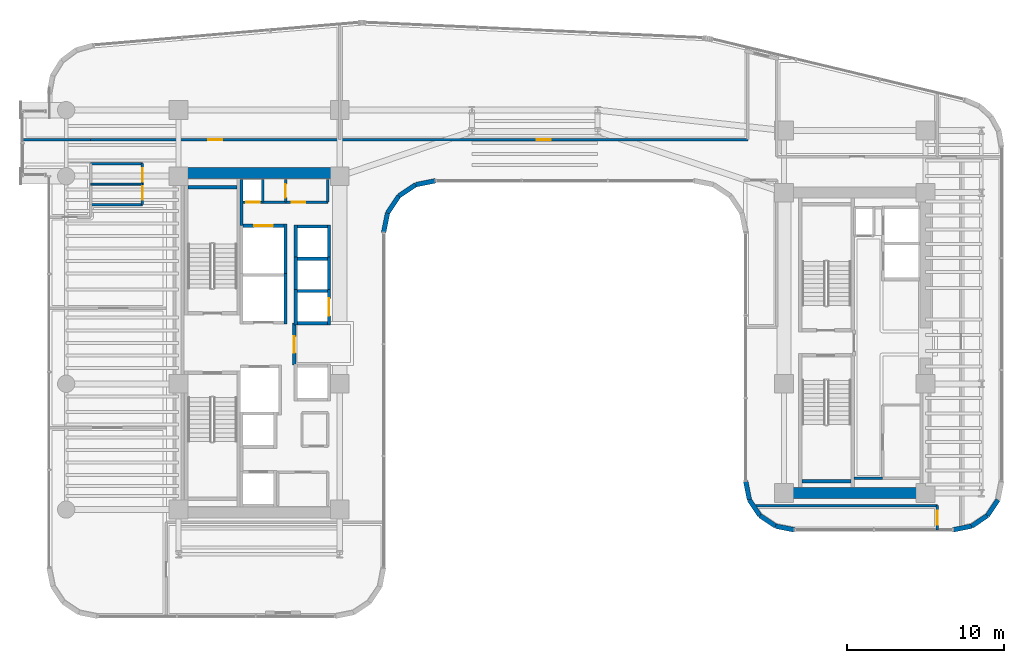
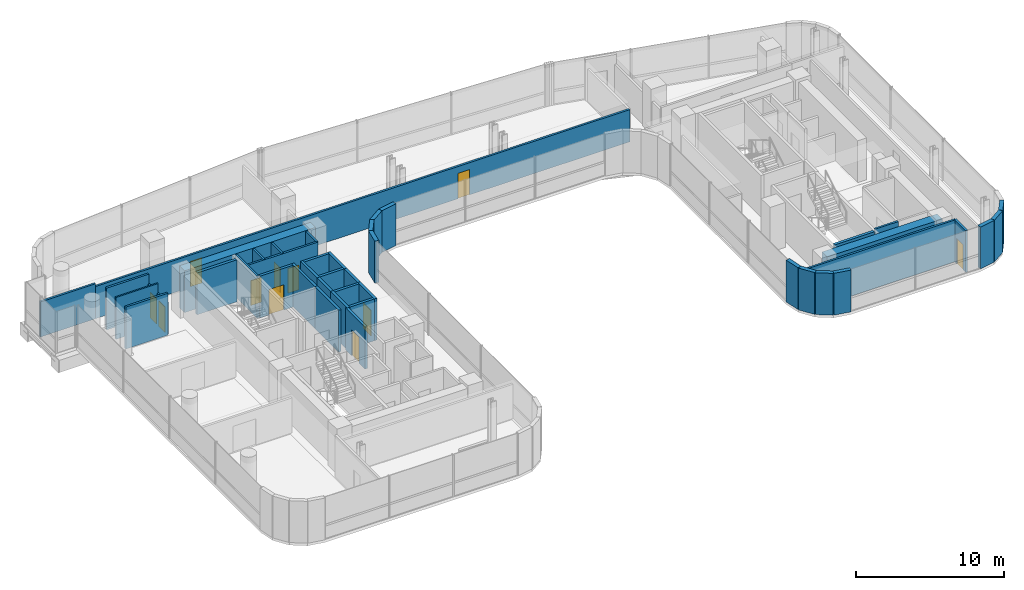
# One storey, part 28 of 34: 43 walls, 11 doors, 11 openings.
"""IFC4 building model written with IfcOpenShell, lengths in metres."""

from ifc_helpers import new_model, si_unit, direction, frame, frame_2d, origin, place, context, subcontext, project, spatial, rectangle, extrude, material, layer, layer_set, type_object, element, fill, save


model = new_model("IFC4")

# Units and contexts
model_context = context("Model", 3, precision=1e-05, world=origin(), true_north=direction((0.0, 1.0)))
body_context = subcontext(model_context, "Body", "Model", "MODEL_VIEW")
ifc_project = project(units=[si_unit("LENGTHUNIT", "METRE"), si_unit("AREAUNIT", "SQUARE_METRE"), si_unit("VOLUMEUNIT", "CUBIC_METRE"), si_unit("PLANEANGLEUNIT", "RADIAN"), si_unit("MASSUNIT", "GRAM", prefix="KILO")], contexts=[model_context])

# Site, building, storey
site_placement = place(None, origin())
site = spatial("IfcSite", under=ifc_project, at=site_placement, CompositionType="ELEMENT")
building_placement = place(site_placement, origin())
building = spatial("IfcBuilding", under=site, at=building_placement, Name="Valdorenza Pilgrim Sanctuary Tower", CompositionType="ELEMENT")
storey_placement = place(building_placement, frame((0.0, 0.0, 120.5)))
storey = spatial("IfcBuildingStorey", under=building, at=storey_placement, Name="L30", CompositionType="ELEMENT", Elevation=120.5)

# Wall
ifc_material_1 = material(Name="Acoustic twin-stud gypsum partition", Category="gypsum")
ifc_layer_1 = layer(ifc_material_1, 0.159912109375, Name="Acoustic twin-stud gypsum partition")
ifc_layer_set_1 = layer_set([ifc_layer_1], Name="Acoustic twin-stud gypsum partition")
wall_type_1 = type_object("IfcWallType", Name="WAL-COR-160", PredefinedType="PARTITIONING", material=ifc_layer_set_1)
wall_1_placement = place(storey_placement, frame((-18.64990234375, 7.449951171875, 0.0), z_axis=(0.0, 0.0, 1.0), x_axis=(0.0, 1.0, 0.0)))
element("IfcWall", 1, at=wall_1_placement, inside=storey, type_object=wall_type_1, Name="L30 Core A North Service West Wall", PredefinedType="PARTITIONING", context=body_context, shape_type="SweptSolid", body=[
    extrude(rectangle(XDim=2.929931640625, YDim=0.159912109375, at=frame_2d((1.46484375, 0.0))), origin(), (0.0, 0.0, 1.0), 3.4599609375),
])

# Wall, openings, doors
wall_2_placement = place(storey_placement, frame((-18.64990234375, 8.949951171875, 0.0), z_axis=(0.0, 0.0, 1.0), x_axis=(1.0, 0.0, 0.0)))
wall_2 = element("IfcWall", 2, at=wall_2_placement, inside=storey, type_object=wall_type_1, Name="L30 Core A North Service South Wall", PredefinedType="PARTITIONING", context=body_context, shape_type="SweptSolid", body=[
    extrude(rectangle(XDim=5.5, YDim=0.159912109375, at=frame_2d((2.75, 0.0))), origin(), (0.0, 0.0, 1.0), 3.4599609375),
])
opening_1_placement = place(wall_2_placement, frame((0.300048828125, 0.0, 0.0)))
opening_1 = element("IfcOpeningElement", 3, at=opening_1_placement, cuts=wall_2, Name="Opening DR-RS1", PredefinedType="OPENING", context=body_context, shape_type="SweptSolid", body=[
    extrude(rectangle(XDim=0.85009765625, YDim=2.050048828125, at=frame_2d((0.425048828125, 1.02490234375))), frame((0.0, 0.0947265625, 0.0), z_axis=(0.0, -1.0, 0.0), x_axis=(1.0, 0.0, 0.0)), (0.0, 0.0, 1.0), 0.189697265625),
])
opening_2_placement = place(wall_2_placement, frame((3.199951171875, 0.0, 0.0)))
opening_2 = element("IfcOpeningElement", 4, at=opening_2_placement, cuts=wall_2, Name="Opening DR-RS1", PredefinedType="OPENING", context=body_context, shape_type="SweptSolid", body=[
    extrude(rectangle(XDim=0.85009765625, YDim=2.050048828125, at=frame_2d((0.425048828125, 1.02490234375))), frame((0.0, 0.0947265625, 0.0), z_axis=(0.0, -1.0, 0.0), x_axis=(1.0, 0.0, 0.0)), (0.0, 0.0, 1.0), 0.189697265625),
])
ifc_material_2 = material(Name="Painted galvanized steel", Category="steel")
door_type_1 = type_object("IfcDoorType", Name="DR-RSR-850", OperationType="NOTDEFINED", PredefinedType="DOOR", material=ifc_material_2)
door_1_placement = place(opening_1_placement, origin())
door_1 = element("IfcDoor", 5, at=door_1_placement, inside=storey, type_object=door_type_1, Name="L30 Core Electrical and Telecom Riser Door", OperationType="SINGLE_SWING_LEFT", OverallHeight=2.050048828125, OverallWidth=0.85009765625, PredefinedType="DOOR", context=body_context, shape_type="SweptSolid", body=[
    extrude(rectangle(XDim=0.85009765625, YDim=2.050048828125, at=frame_2d((0.425048828125, 1.02490234375))), frame((0.0, 0.02490234375, 0.0), z_axis=(0.0, -1.0, 0.0), x_axis=(1.0, 0.0, 0.0)), (0.0, 0.0, 1.0), 0.050048828125),
])
fill(opening_1, door_1)
door_2_placement = place(opening_2_placement, origin())
door_2 = element("IfcDoor", 6, at=door_2_placement, inside=storey, type_object=door_type_1, Name="L30 Housekeeping and Clean Linen Room Door", OperationType="SINGLE_SWING_RIGHT", OverallHeight=2.050048828125, OverallWidth=0.85009765625, PredefinedType="DOOR", context=body_context, shape_type="SweptSolid", body=[
    extrude(rectangle(XDim=0.85009765625, YDim=2.050048828125, at=frame_2d((0.425048828125, 1.02490234375))), frame((0.0, 0.02490234375, 0.0), z_axis=(0.0, -1.0, 0.0), x_axis=(1.0, 0.0, 0.0)), (0.0, 0.0, 1.0), 0.050048828125),
])
fill(opening_2, door_2)

# Walls
for number, where, z_axis, x_axis, name in (
    (7, (-13.14990234375, 8.949951171875, 0.0), (0.0, 0.0, 1.0), (0.0, 1.0, 0.0), "L30 Core A North Service East Wall"),
    (8, (-17.300048828125, 8.949951171875, 0.0), (0.0, 0.0, 1.0), (0.0, 1.0, 0.0), "L30 Core Electrical Riser Wall"),
):
    element("IfcWall", number, at=place(storey_placement, frame(where, z_axis=z_axis, x_axis=x_axis)), inside=storey, type_object=wall_type_1, Name=name, PredefinedType="PARTITIONING", context=body_context, shape_type="SweptSolid", body=[
        extrude(rectangle(XDim=1.429931640625, YDim=0.159912109375, at=frame_2d((0.71484375, 0.0))), origin(), (0.0, 0.0, 1.0), 3.4599609375),
    ])

# Wall, opening, door
wall_3_placement = place(storey_placement, frame((-15.85009765625, 8.949951171875, 0.0), z_axis=(0.0, 0.0, 1.0), x_axis=(0.0, 1.0, 0.0)))
wall_3 = element("IfcWall", 9, at=wall_3_placement, inside=storey, type_object=wall_type_1, Name="L30 Core A Split C", PredefinedType="PARTITIONING", context=body_context, shape_type="SweptSolid", body=[
    extrude(rectangle(XDim=1.429931640625, YDim=0.159912109375, at=frame_2d((0.71484375, 0.0))), origin(), (0.0, 0.0, 1.0), 3.4599609375),
])
opening_3_placement = place(wall_3_placement, frame((0.2900390625, 0.0, 0.0)))
opening_3 = element("IfcOpeningElement", 10, at=opening_3_placement, cuts=wall_3, Name="Opening DR-RS1", PredefinedType="OPENING", context=body_context, shape_type="SweptSolid", body=[
    extrude(rectangle(XDim=0.85009765625, YDim=2.050048828125, at=frame_2d((0.425048828125, 1.02490234375))), frame((0.0, 0.0947265625, 0.0), z_axis=(0.0, -1.0, 0.0), x_axis=(1.0, 0.0, 0.0)), (0.0, 0.0, 1.0), 0.189697265625),
])
door_3_placement = place(opening_3_placement, origin())
door_3 = element("IfcDoor", 11, at=door_3_placement, inside=storey, type_object=door_type_1, Name="L30 Clean Linen Supply Store Door", OperationType="SINGLE_SWING_LEFT", OverallHeight=2.050048828125, OverallWidth=0.85009765625, PredefinedType="DOOR", context=body_context, shape_type="SweptSolid", body=[
    extrude(rectangle(XDim=0.85009765625, YDim=2.050048828125, at=frame_2d((0.425048828125, 1.02490234375))), frame((0.0, 0.02490234375, 0.0), z_axis=(0.0, -1.0, 0.0), x_axis=(1.0, 0.0, 0.0)), (0.0, 0.0, 1.0), 0.050048828125),
])
fill(opening_3, door_3)

# Wall
wall_4_placement = place(storey_placement, frame((20.300048828125, -8.60009765625, 0.0), z_axis=(0.0, 0.0, 1.0), x_axis=(1.0, 0.0, 0.0)))
element("IfcWall", 12, at=wall_4_placement, inside=storey, type_object=wall_type_1, Name="L30 Core B Lift Hall South End Wall", PredefinedType="PARTITIONING", context=body_context, shape_type="SweptSolid", body=[
    extrude(rectangle(XDim=1.820068359375, YDim=0.159912109375, at=frame_2d((0.91015625, 0.0))), origin(), (0.0, 0.0, 1.0), 3.4599609375),
])

# Wall, openings, doors
wall_5_placement = place(storey_placement, frame((-24.949951171875, 8.800048828125, 0.0), z_axis=(0.0, 0.0, 1.0), x_axis=(0.0, 1.0, 0.0)))
wall_5 = element("IfcWall", 13, at=wall_5_placement, inside=storey, type_object=wall_type_1, Name="L30 Washroom East Wall", PredefinedType="PARTITIONING", context=body_context, shape_type="SweptSolid", body=[
    extrude(rectangle(XDim=2.599853515625, YDim=0.159912109375, at=frame_2d((1.2998046875, 0.0))), origin(), (0.0, 0.0, 1.0), 2.666015625),
])
opening_4_placement = place(wall_5_placement, frame((0.300048828125, 0.0, 0.0)))
opening_4 = element("IfcOpeningElement", 14, at=opening_4_placement, cuts=wall_5, Name="Opening DR-WC1", PredefinedType="OPENING", context=body_context, shape_type="SweptSolid", body=[
    extrude(rectangle(XDim=0.85009765625, YDim=2.10009765625, at=frame_2d((0.425048828125, 1.050048828125))), frame((0.0, 0.0947265625, 0.0), z_axis=(0.0, -1.0, 0.0), x_axis=(1.0, 0.0, 0.0)), (0.0, 0.0, 1.0), 0.189697265625),
])
opening_5_placement = place(wall_5_placement, frame((1.449951171875, 0.0, 0.0)))
opening_5 = element("IfcOpeningElement", 15, at=opening_5_placement, cuts=wall_5, Name="Opening DR-WC1", PredefinedType="OPENING", context=body_context, shape_type="SweptSolid", body=[
    extrude(rectangle(XDim=0.85009765625, YDim=2.10009765625, at=frame_2d((0.425048828125, 1.050048828125))), frame((0.0, 0.0947265625, 0.0), z_axis=(0.0, -1.0, 0.0), x_axis=(1.0, 0.0, 0.0)), (0.0, 0.0, 1.0), 0.189697265625),
])
ifc_material_3 = material(Name="Moisture-resistant lacquered timber", Category="wood")
door_type_2 = type_object("IfcDoorType", Name="DR-BATH-850", OperationType="NOTDEFINED", PredefinedType="DOOR", material=ifc_material_3)
door_4_placement = place(opening_4_placement, origin())
door_4 = element("IfcDoor", 16, at=door_4_placement, inside=storey, type_object=door_type_2, Name="L30 Accessible Washroom Door", OperationType="SINGLE_SWING_LEFT", OverallHeight=2.10009765625, OverallWidth=0.85009765625, PredefinedType="DOOR", context=body_context, shape_type="SweptSolid", body=[
    extrude(rectangle(XDim=0.85009765625, YDim=2.10009765625, at=frame_2d((0.425048828125, 1.050048828125))), frame((0.0, 0.02490234375, 0.0), z_axis=(0.0, -1.0, 0.0), x_axis=(1.0, 0.0, 0.0)), (0.0, 0.0, 1.0), 0.050048828125),
])
fill(opening_4, door_4)
door_5_placement = place(opening_5_placement, origin())
door_5 = element("IfcDoor", 17, at=door_5_placement, inside=storey, type_object=door_type_2, Name="L30 Public Washroom Door", OperationType="SINGLE_SWING_RIGHT", OverallHeight=2.10009765625, OverallWidth=0.85009765625, PredefinedType="DOOR", context=body_context, shape_type="SweptSolid", body=[
    extrude(rectangle(XDim=0.85009765625, YDim=2.10009765625, at=frame_2d((0.425048828125, 1.050048828125))), frame((0.0, 0.02490234375, 0.0), z_axis=(0.0, -1.0, 0.0), x_axis=(1.0, 0.0, 0.0)), (0.0, 0.0, 1.0), 0.050048828125),
])
fill(opening_5, door_5)

# Walls
for number, where, z_axis, x_axis, name in (
    (18, (-28.25, 8.800048828125, 0.0), (0.0, 0.0, 1.0), (1.0, 0.0, 0.0), "L30 Washroom South Wall"),
    (19, (-28.25, 11.39990234375, 0.0), (0.0, 0.0, 1.0), (1.0, 0.0, 0.0), "L30 Washroom North Wall"),
):
    element("IfcWall", number, at=place(storey_placement, frame(where, z_axis=z_axis, x_axis=x_axis)), inside=storey, type_object=wall_type_1, Name=name, PredefinedType="PARTITIONING", context=body_context, shape_type="SweptSolid", body=[
        extrude(rectangle(XDim=3.300048828125, YDim=0.159912109375, at=frame_2d((1.64990234375, 0.0))), origin(), (0.0, 0.0, 1.0), 3.4599609375),
    ])
wall_6_placement = place(storey_placement, frame((-32.5400390625, 12.919921875, 0.0), z_axis=(0.0, 0.0, 1.0), x_axis=(1.0, 0.0, 0.0)))
element("IfcWall", 20, at=wall_6_placement, inside=storey, type_object=wall_type_1, Name="L30 Cloister North Solid Partition", PredefinedType="PARTITIONING", context=body_context, shape_type="SweptSolid", body=[
    extrude(rectangle(XDim=4.2900390625, YDim=0.159912109375, at=frame_2d((2.14501953125, 0.0))), origin(), (0.0, 0.0, 1.0), 2.89599609375),
])

# Wall, openings, doors
wall_7_placement = place(storey_placement, frame((-28.25, 12.919921875, 0.0), z_axis=(0.0, 0.0, 1.0), x_axis=(1.0, 0.0, 0.0)))
wall_7 = element("IfcWall", 21, at=wall_7_placement, inside=storey, type_object=wall_type_1, Name="L30 North Corridor Wall", PredefinedType="PARTITIONING", context=body_context, shape_type="SweptSolid", body=[
    extrude(rectangle(XDim=41.800048828125, YDim=0.159912109375, at=frame_2d((20.89990234375, 0.0))), origin(), (0.0, 0.0, 1.0), 2.666015625),
])
opening_6_placement = place(wall_7_placement, frame((7.47509765625, 0.0, 0.0)))
opening_6 = element("IfcOpeningElement", 22, at=opening_6_placement, cuts=wall_7, Name="Opening DR-RM1", PredefinedType="OPENING", context=body_context, shape_type="SweptSolid", body=[
    extrude(rectangle(XDim=0.89990234375, YDim=2.10009765625, at=frame_2d((0.449951171875, 1.050048828125))), frame((0.0, 0.0947265625, 0.0), z_axis=(0.0, -1.0, 0.0), x_axis=(1.0, 0.0, 0.0)), (0.0, 0.0, 1.0), 0.189697265625),
])
opening_7_placement = place(wall_7_placement, frame((28.375, 0.0, 0.0)))
opening_7 = element("IfcOpeningElement", 23, at=opening_7_placement, cuts=wall_7, Name="Opening DR-RM1", PredefinedType="OPENING", context=body_context, shape_type="SweptSolid", body=[
    extrude(rectangle(XDim=0.89990234375, YDim=2.10009765625, at=frame_2d((0.449951171875, 1.050048828125))), frame((0.0, 0.0947265625, 0.0), z_axis=(0.0, -1.0, 0.0), x_axis=(1.0, 0.0, 0.0)), (0.0, 0.0, 1.0), 0.189697265625),
])
ifc_material_4 = material(Name="Solid-core European oak timber", Category="wood")
door_type_3 = type_object("IfcDoorType", Name="DR-ROOM-900", OperationType="NOTDEFINED", PredefinedType="DOOR", material=ifc_material_4)
door_6_placement = place(opening_6_placement, frame((0.89990234375, 0.0, 0.0), z_axis=(0.0, 0.0, 1.0), x_axis=(-1.0, 0.0, 0.0)))
door_6 = element("IfcDoor", 24, at=door_6_placement, inside=storey, type_object=door_type_3, Name="L30 Sanctuary Administration Office L30-N1 Door", OperationType="SINGLE_SWING_LEFT", OverallHeight=2.10009765625, OverallWidth=0.89990234375, PredefinedType="DOOR", context=body_context, shape_type="SweptSolid", body=[
    extrude(rectangle(XDim=0.89990234375, YDim=2.10009765625, at=frame_2d((0.449951171875, 1.050048828125))), frame((0.0, 0.02490234375, 0.0), z_axis=(0.0, -1.0, 0.0), x_axis=(1.0, 0.0, 0.0)), (0.0, 0.0, 1.0), 0.050048828125),
])
fill(opening_6, door_6)
door_7_placement = place(opening_7_placement, origin())
door_7 = element("IfcDoor", 25, at=door_7_placement, inside=storey, type_object=door_type_3, Name="L30 Sanctuary Administration Office L30-N2 Door", OperationType="SINGLE_SWING_RIGHT", OverallHeight=2.10009765625, OverallWidth=0.89990234375, PredefinedType="DOOR", context=body_context, shape_type="SweptSolid", body=[
    extrude(rectangle(XDim=0.89990234375, YDim=2.10009765625, at=frame_2d((0.449951171875, 1.050048828125))), frame((0.0, 0.02490234375, 0.0), z_axis=(0.0, -1.0, 0.0), x_axis=(1.0, 0.0, 0.0)), (0.0, 0.0, 1.0), 0.050048828125),
])
fill(opening_7, door_7)

# Wall, opening, door
wall_8_placement = place(storey_placement, frame((25.60009765625, -11.889892578125, 0.0), z_axis=(0.0, 0.0, 1.0), x_axis=(0.0, 1.0, 0.0)))
wall_8 = element("IfcWall", 26, at=wall_8_placement, inside=storey, type_object=wall_type_1, Name="L30 Wing B South-East Wall", PredefinedType="PARTITIONING", context=body_context, shape_type="SweptSolid", body=[
    extrude(rectangle(XDim=1.539794921875, YDim=0.159912109375, at=frame_2d((0.77001953125, 0.0))), origin(), (0.0, 0.0, 1.0), 3.4599609375),
])
opening_8_placement = place(wall_8_placement, frame((0.320068359375, 0.0, 0.0)))
opening_8 = element("IfcOpeningElement", 27, at=opening_8_placement, cuts=wall_8, Name="Opening DR-RM1", PredefinedType="OPENING", context=body_context, shape_type="SweptSolid", body=[
    extrude(rectangle(XDim=0.89990234375, YDim=2.10009765625, at=frame_2d((0.449951171875, 1.050048828125))), frame((0.0, 0.0947265625, 0.0), z_axis=(0.0, -1.0, 0.0), x_axis=(1.0, 0.0, 0.0)), (0.0, 0.0, 1.0), 0.189697265625),
])
door_8_placement = place(opening_8_placement, origin())
door_8 = element("IfcDoor", 28, at=door_8_placement, inside=storey, type_object=door_type_3, Name="L30 Sacred Manuscript Archive L30-BS Door", OperationType="SINGLE_SWING_RIGHT", OverallHeight=2.10009765625, OverallWidth=0.89990234375, PredefinedType="DOOR", context=body_context, shape_type="SweptSolid", body=[
    extrude(rectangle(XDim=0.89990234375, YDim=2.10009765625, at=frame_2d((0.449951171875, 1.050048828125))), frame((0.0, 0.02490234375, 0.0), z_axis=(0.0, -1.0, 0.0), x_axis=(1.0, 0.0, 0.0)), (0.0, 0.0, 1.0), 0.050048828125),
])
fill(opening_8, door_8)

# Walls
wall_9_placement = place(storey_placement, frame((14.043701171875, -10.35009765625, 0.0), z_axis=(0.0, 0.0, 1.0), x_axis=(1.0, 0.0, 0.0)))
element("IfcWall", 29, at=wall_9_placement, inside=storey, type_object=wall_type_1, Name="L30 Wing B South Closure", PredefinedType="PARTITIONING", context=body_context, shape_type="SweptSolid", body=[
    extrude(rectangle(XDim=11.556396484375, YDim=0.159912109375, at=frame_2d((5.7783203125, 0.0))), origin(), (0.0, 0.0, 1.0), 3.4599609375),
])
ifc_material_5 = material(Name="Concrete C60/75", Category="concrete")
ifc_layer_2 = layer(ifc_material_5, 0.699951171875, Name="Concrete C60/75")
ifc_layer_set_2 = layer_set([ifc_layer_2], Name="Concrete C60/75")
wall_type_2 = type_object("IfcWallType", Name="WAL-COR-700", PredefinedType="SHEAR", material=ifc_layer_set_2)
wall_10_placement = place(storey_placement, frame((-22.64990234375, 10.800048828125, 0.0), z_axis=(0.0, 0.0, 1.0), x_axis=(1.0, 0.0, 0.0)))
element("IfcWall", 30, at=wall_10_placement, inside=storey, type_object=wall_type_2, Name="L30 Split Core A Shear Wall N", PredefinedType="SHEAR", context=body_context, shape_type="SweptSolid", body=[
    extrude(rectangle(XDim=10.25, YDim=0.699951171875, at=frame_2d((5.125, 0.0))), origin(), (0.0, 0.0, 1.0), 3.4599609375),
])
wall_11_placement = place(storey_placement, frame((15.85009765625, -9.550048828125, 0.0), z_axis=(0.0, 0.0, 1.0), x_axis=(1.0, 0.0, 0.0)))
element("IfcWall", 31, at=wall_11_placement, inside=storey, type_object=wall_type_2, Name="L30 Split Core B Shear Wall S", PredefinedType="SHEAR", context=body_context, shape_type="SweptSolid", body=[
    extrude(rectangle(XDim=9.0, YDim=0.699951171875, at=frame_2d((4.5, 0.0))), origin(), (0.0, 0.0, 1.0), 3.4599609375),
])
ifc_material_6 = material(Name="Honed travertine limestone", Category="masonry")
ifc_layer_3 = layer(ifc_material_6, 0.300048828125, Name="Honed travertine limestone")
ifc_layer_set_3 = layer_set([ifc_layer_3], Name="Honed travertine limestone")
wall_type_3 = type_object("IfcWallType", Name="WAL-EXT-300", PredefinedType="SOLIDWALL", material=ifc_layer_set_3)
for number, where, z_axis, x_axis, name in (
    (32, (29.452880859375, -9.981689453125, 0.0), (0.0, 0.0, 1.0), (-0.555635100982, -0.831426265255, 0.0), "L30 Rounded Wind-Corner Stone Pier 23"),
    (33, (28.783447265625, -10.9833984375, 0.0), (0.0, 0.0, 1.0), (-0.831426265255, -0.555635100982, 0.0), "L30 Rounded Wind-Corner Stone Pier 24"),
):
    element("IfcWall", number, at=place(storey_placement, frame(where, z_axis=z_axis, x_axis=x_axis)), inside=storey, type_object=wall_type_3, Name=name, PredefinedType="SOLIDWALL", context=body_context, shape_type="SweptSolid", body=[
        extrude(rectangle(XDim=1.204833984375, YDim=0.300048828125, at=frame_2d((0.6025390625, 0.0))), origin(), (0.0, 0.0, 1.0), 3.4599609375),
    ])
wall_12_placement = place(storey_placement, frame((27.78173828125, -11.65283203125, 0.0), z_axis=(0.0, 0.0, 1.0), x_axis=(-0.980811661072, -0.194957650543, 0.0)))
element("IfcWall", 34, at=wall_12_placement, inside=storey, type_object=wall_type_3, Name="L30 Rounded Wind-Corner Stone Pier 25", PredefinedType="SOLIDWALL", context=body_context, shape_type="SweptSolid", body=[
    extrude(rectangle(XDim=1.216064453125, YDim=0.300048828125, at=frame_2d((0.60791015625, 0.0))), origin(), (0.0, 0.0, 1.0), 3.4599609375),
])
wall_13_placement = place(storey_placement, frame((16.5107421875, -11.889892578125, 0.0), z_axis=(0.0, 0.0, 1.0), x_axis=(-0.980804027463, 0.194996050505, 0.0)))
element("IfcWall", 35, at=wall_13_placement, inside=storey, type_object=wall_type_3, Name="L30 Rounded Wind-Corner Stone Pier 27", PredefinedType="SOLIDWALL", context=body_context, shape_type="SweptSolid", body=[
    extrude(rectangle(XDim=1.2158203125, YDim=0.300048828125, at=frame_2d((0.60791015625, 0.0))), origin(), (0.0, 0.0, 1.0), 3.4599609375),
])
for number, where, z_axis, x_axis, name in (
    (36, (15.318359375, -11.65283203125, 0.0), (0.0, 0.0, 1.0), (-0.831426265255, 0.555635100982, 0.0), "L30 Rounded Wind-Corner Stone Pier 28"),
    (37, (14.316650390625, -10.9833984375, 0.0), (0.0, 0.0, 1.0), (-0.555635100982, 0.831426265255, 0.0), "L30 Rounded Wind-Corner Stone Pier 29"),
):
    element("IfcWall", number, at=place(storey_placement, frame(where, z_axis=z_axis, x_axis=x_axis)), inside=storey, type_object=wall_type_3, Name=name, PredefinedType="SOLIDWALL", context=body_context, shape_type="SweptSolid", body=[
        extrude(rectangle(XDim=1.204833984375, YDim=0.300048828125, at=frame_2d((0.6025390625, 0.0))), origin(), (0.0, 0.0, 1.0), 3.4599609375),
    ])
wall_14_placement = place(storey_placement, frame((13.647216796875, -9.981689453125, 0.0), z_axis=(0.0, 0.0, 1.0), x_axis=(-0.195189223115, 0.980765602568, 0.0)))
element("IfcWall", 38, at=wall_14_placement, inside=storey, type_object=wall_type_3, Name="L30 Rounded Wind-Corner Stone Pier 30", PredefinedType="SOLIDWALL", context=body_context, shape_type="SweptSolid", body=[
    extrude(rectangle(XDim=1.2158203125, YDim=0.300048828125, at=frame_2d((0.60791015625, 0.0))), origin(), (0.0, 0.0, 1.0), 3.4599609375),
])
wall_15_placement = place(storey_placement, frame((-6.310791015625, 10.31005859375, 0.0), z_axis=(0.0, 0.0, 1.0), x_axis=(-0.980778058848, -0.195126623715, 0.0)))
element("IfcWall", 39, at=wall_15_placement, inside=storey, type_object=wall_type_3, Name="L30 Rounded Wind-Corner Stone Pier 37", PredefinedType="SOLIDWALL", context=body_context, shape_type="SweptSolid", body=[
    extrude(rectangle(XDim=1.28125, YDim=0.300048828125, at=frame_2d((0.640625, 0.0))), origin(), (0.0, 0.0, 1.0), 3.4599609375),
])
wall_16_placement = place(storey_placement, frame((-7.5673828125, 10.06005859375, 0.0), z_axis=(0.0, 0.0, 1.0), x_axis=(-0.831497739511, -0.555528135371, 0.0)))
element("IfcWall", 40, at=wall_16_placement, inside=storey, type_object=wall_type_3, Name="L30 Rounded Wind-Corner Stone Pier 38", PredefinedType="SOLIDWALL", context=body_context, shape_type="SweptSolid", body=[
    extrude(rectangle(XDim=1.29248046875, YDim=0.300048828125, at=frame_2d((0.646240234375, 0.0))), origin(), (0.0, 0.0, 1.0), 3.4599609375),
])
wall_17_placement = place(storey_placement, frame((-8.64208984375, 9.342041015625, 0.0), z_axis=(0.0, 0.0, 1.0), x_axis=(-0.555615398575, -0.831439431869, 0.0)))
element("IfcWall", 41, at=wall_17_placement, inside=storey, type_object=wall_type_3, Name="L30 Rounded Wind-Corner Stone Pier 39", PredefinedType="SOLIDWALL", context=body_context, shape_type="SweptSolid", body=[
    extrude(rectangle(XDim=1.292236328125, YDim=0.300048828125, at=frame_2d((0.64599609375, 0.0))), origin(), (0.0, 0.0, 1.0), 3.4599609375),
])
wall_18_placement = place(storey_placement, frame((-9.360107421875, 8.267578125, 0.0), z_axis=(0.0, 0.0, 1.0), x_axis=(-0.195090163074, -0.980785312019, 0.0)))
element("IfcWall", 42, at=wall_18_placement, inside=storey, type_object=wall_type_3, Name="L30 Rounded Wind-Corner Stone Pier 40", PredefinedType="SOLIDWALL", context=body_context, shape_type="SweptSolid", body=[
    extrude(rectangle(XDim=1.281494140625, YDim=0.300048828125, at=frame_2d((0.640625, 0.0))), origin(), (0.0, 0.0, 1.0), 3.4599609375),
])

# Wall, opening, door
ifc_material_7 = material(Name="Gypsum shaftwall partition", Category="gypsum")
ifc_layer_4 = layer(ifc_material_7, 0.199951171875, Name="Gypsum shaftwall partition")
ifc_layer_set_4 = layer_set([ifc_layer_4], Name="Gypsum shaftwall partition")
wall_type_4 = type_object("IfcWallType", Name="WAL-FFL-200", PredefinedType="PARTITIONING", material=ifc_layer_set_4)
wall_19_placement = place(storey_placement, frame((-15.300048828125, -1.419921875, 0.0), z_axis=(0.0, 0.0, 1.0), x_axis=(0.0, 1.0, 0.0)))
wall_19 = element("IfcWall", 43, at=wall_19_placement, inside=storey, type_object=wall_type_4, Name="L30 Core A Firefighting Lobby East Wall", PredefinedType="PARTITIONING", context=body_context, shape_type="SweptSolid", body=[
    extrude(rectangle(XDim=2.669921875, YDim=0.199951171875, at=frame_2d((1.3349609375, 0.0))), origin(), (0.0, 0.0, 1.0), 3.4599609375),
])
opening_9_placement = place(wall_19_placement, frame((0.780029296875, 0.0, 0.0)))
opening_9 = element("IfcOpeningElement", 44, at=opening_9_placement, cuts=wall_19, Name="Opening DR-FL1", PredefinedType="OPENING", context=body_context, shape_type="SweptSolid", body=[
    extrude(rectangle(XDim=1.050048828125, YDim=2.14990234375, at=frame_2d((0.52490234375, 1.074951171875))), frame((0.0, 0.11474609375, 0.0), z_axis=(0.0, -1.0, 0.0), x_axis=(1.0, 0.0, 0.0)), (0.0, 0.0, 1.0), 0.229736328125),
])
door_type_4 = type_object("IfcDoorType", Name="DR-FFL-1050", OperationType="NOTDEFINED", PredefinedType="DOOR", material=ifc_material_2)
door_9_placement = place(opening_9_placement, origin())
door_9 = element("IfcDoor", 45, at=door_9_placement, inside=storey, type_object=door_type_4, Name="L30 Core A Firefighting Lobby Door", OperationType="SINGLE_SWING_RIGHT", OverallHeight=2.14990234375, OverallWidth=1.050048828125, PredefinedType="DOOR", context=body_context, shape_type="SweptSolid", body=[
    extrude(rectangle(XDim=1.050048828125, YDim=2.14990234375, at=frame_2d((0.52490234375, 1.074951171875))), frame((0.0, 0.02490234375, 0.0), z_axis=(0.0, -1.0, 0.0), x_axis=(1.0, 0.0, 0.0)), (0.0, 0.0, 1.0), 0.050048828125),
])
fill(opening_9, door_9)

# Walls
ifc_material_8 = material(Name="Moisture-resistant gypsum partition", Category="gypsum")
ifc_layer_5 = layer(ifc_material_8, 0.1201171875, Name="Moisture-resistant gypsum partition")
ifc_layer_set_5 = layer_set([ifc_layer_5], Name="Moisture-resistant gypsum partition")
wall_type_5 = type_object("IfcWallType", Name="WAL-INT-120", PredefinedType="PARTITIONING", material=ifc_layer_set_5)
wall_20_placement = place(storey_placement, frame((-28.25, 10.10009765625, 0.0), z_axis=(0.0, 0.0, 1.0), x_axis=(1.0, 0.0, 0.0)))
element("IfcWall", 46, at=wall_20_placement, inside=storey, type_object=wall_type_5, Name="L30 Washroom Divider Wall", PredefinedType="PARTITIONING", context=body_context, shape_type="SweptSolid", body=[
    extrude(rectangle(XDim=3.300048828125, YDim=0.1201171875, at=frame_2d((1.64990234375, 0.0))), origin(), (0.0, 0.0, 1.0), 3.4599609375),
])
ifc_material_9 = material(Name="Autoclaved aerated concrete blockwork", Category="masonry")
ifc_layer_6 = layer(ifc_material_9, 0.199951171875, Name="Autoclaved aerated concrete blockwork")
ifc_layer_set_6 = layer_set([ifc_layer_6], Name="Autoclaved aerated concrete blockwork")
wall_type_6 = type_object("IfcWallType", Name="WAL-SHF-200", PredefinedType="MOVABLE", material=ifc_layer_set_6)
wall_21_placement = place(storey_placement, frame((-15.85009765625, 1.199951171875, 0.0), z_axis=(0.0, 0.0, 1.0), x_axis=(0.0, 1.0, 0.0)))
element("IfcWall", 47, at=wall_21_placement, inside=storey, type_object=wall_type_6, Name="L30 Lift FFL-01 Hoistway Wall East", PredefinedType="MOVABLE", context=body_context, shape_type="SweptSolid", body=[
    extrude(rectangle(XDim=3.22509765625, YDim=0.199951171875, at=frame_2d((1.612548828125, 0.0))), origin(), (0.0, 0.0, 1.0), 3.4599609375),
])
wall_22_placement = place(storey_placement, frame((-15.85009765625, 4.22509765625, 0.0), z_axis=(0.0, 0.0, 1.0), x_axis=(0.0, 1.0, 0.0)))
element("IfcWall", 48, at=wall_22_placement, inside=storey, type_object=wall_type_6, Name="L30 Lift SVL-01 Hoistway Wall East", PredefinedType="MOVABLE", context=body_context, shape_type="SweptSolid", body=[
    extrude(rectangle(XDim=3.324951171875, YDim=0.199951171875, at=frame_2d((1.66259765625, 0.0))), origin(), (0.0, 0.0, 1.0), 3.4599609375),
])

# Wall, opening, door
wall_23_placement = place(storey_placement, frame((-18.550048828125, 7.449951171875, 0.0), z_axis=(0.0, 0.0, 1.0), x_axis=(1.0, 0.0, 0.0)))
wall_23 = element("IfcWall", 49, at=wall_23_placement, inside=storey, type_object=wall_type_6, Name="L30 Lift SVL-01 Hoistway Wall North", PredefinedType="MOVABLE", context=body_context, shape_type="SweptSolid", body=[
    extrude(rectangle(XDim=2.60009765625, YDim=0.199951171875, at=frame_2d((1.300048828125, 0.0))), origin(), (0.0, 0.0, 1.0), 3.4599609375),
])
opening_10_placement = place(wall_23_placement, frame((0.699951171875, 0.0, 0.0)))
opening_10 = element("IfcOpeningElement", 50, at=opening_10_placement, cuts=wall_23, Name="Opening LD-02", PredefinedType="OPENING", context=body_context, shape_type="SweptSolid", body=[
    extrude(rectangle(XDim=1.199951171875, YDim=2.10009765625, at=frame_2d((0.60009765625, 1.050048828125))), frame((0.0, 0.11474609375, 0.0), z_axis=(0.0, -1.0, 0.0), x_axis=(1.0, 0.0, 0.0)), (0.0, 0.0, 1.0), 0.229736328125),
])
ifc_material_10 = material(Name="Brushed stainless steel Grade 316", Category="steel")
door_type_5 = type_object("IfcDoorType", Name="DR-LFT-1200", OperationType="DOUBLE_DOOR_SLIDING", PredefinedType="DOOR", material=ifc_material_10)
door_10_placement = place(opening_10_placement, origin())
door_10 = element("IfcDoor", 51, at=door_10_placement, inside=storey, type_object=door_type_5, Name="L30 Lift SVL-01 Sliding Landing Door", OperationType="DOUBLE_DOOR_SLIDING", OverallHeight=2.10009765625, OverallWidth=1.199951171875, PredefinedType="DOOR", context=body_context, shape_type="SweptSolid", body=[
    extrude(rectangle(XDim=1.199951171875, YDim=2.10009765625, at=frame_2d((0.60009765625, 1.050048828125))), frame((0.0, 0.02490234375, 0.0), z_axis=(0.0, -1.0, 0.0), x_axis=(1.0, 0.0, 0.0)), (0.0, 0.0, 1.0), 0.050048828125),
])
fill(opening_10, door_10)

# Wall
wall_24_placement = place(storey_placement, frame((-15.199951171875, 1.14990234375, 0.0), z_axis=(0.0, 0.0, 1.0), x_axis=(0.0, 1.0, 0.0)))
element("IfcWall", 52, at=wall_24_placement, inside=storey, type_object=wall_type_6, Name="L30 Lift PL-06 Hoistway Wall West", PredefinedType="MOVABLE", context=body_context, shape_type="SweptSolid", body=[
    extrude(rectangle(XDim=2.25, YDim=0.199951171875, at=frame_2d((1.125, 0.0))), origin(), (0.0, 0.0, 1.0), 3.4599609375),
])

# Wall, opening, door
wall_25_placement = place(storey_placement, frame((-13.080078125, 1.14990234375, 0.0), z_axis=(0.0, 0.0, 1.0), x_axis=(0.0, 1.0, 0.0)))
wall_25 = element("IfcWall", 53, at=wall_25_placement, inside=storey, type_object=wall_type_6, Name="L30 Lift PL-06 Hoistway Wall East", PredefinedType="MOVABLE", context=body_context, shape_type="SweptSolid", body=[
    extrude(rectangle(XDim=2.25, YDim=0.199951171875, at=frame_2d((1.125, 0.0))), origin(), (0.0, 0.0, 1.0), 3.4599609375),
])
opening_11_placement = place(wall_25_placement, frame((0.574951171875, 0.0, 0.0)))
opening_11 = element("IfcOpeningElement", 54, at=opening_11_placement, cuts=wall_25, Name="Opening LD-01", PredefinedType="OPENING", context=body_context, shape_type="SweptSolid", body=[
    extrude(rectangle(XDim=1.10009765625, YDim=2.10009765625, at=frame_2d((0.550048828125, 1.050048828125))), frame((0.0, 0.11474609375, 0.0), z_axis=(0.0, -1.0, 0.0), x_axis=(1.0, 0.0, 0.0)), (0.0, 0.0, 1.0), 0.229736328125),
])
door_type_6 = type_object("IfcDoorType", Name="DR-LFT-1100", OperationType="DOUBLE_DOOR_SLIDING", PredefinedType="DOOR", material=ifc_material_10)
door_11_placement = place(opening_11_placement, origin())
door_11 = element("IfcDoor", 55, at=door_11_placement, inside=storey, type_object=door_type_6, Name="L30 Lift PL-06 Sliding Landing Door", OperationType="DOUBLE_DOOR_SLIDING", OverallHeight=2.10009765625, OverallWidth=1.10009765625, PredefinedType="DOOR", context=body_context, shape_type="SweptSolid", body=[
    extrude(rectangle(XDim=1.10009765625, YDim=2.10009765625, at=frame_2d((0.550048828125, 1.050048828125))), frame((0.0, 0.02490234375, 0.0), z_axis=(0.0, -1.0, 0.0), x_axis=(1.0, 0.0, 0.0)), (0.0, 0.0, 1.0), 0.050048828125),
])
fill(opening_11, door_11)

# Walls
wall_26_placement = place(storey_placement, frame((-15.10009765625, 1.25, 0.0), z_axis=(0.0, 0.0, 1.0), x_axis=(1.0, 0.0, 0.0)))
element("IfcWall", 56, at=wall_26_placement, inside=storey, type_object=wall_type_6, Name="L30 Lift PL-06 Hoistway Wall South", PredefinedType="MOVABLE", context=body_context, shape_type="SweptSolid", body=[
    extrude(rectangle(XDim=1.920166015625, YDim=0.199951171875, at=frame_2d((0.9599609375, 0.0))), origin(), (0.0, 0.0, 1.0), 3.4599609375),
])
for number, where, z_axis, x_axis, name in (
    (57, (-15.199951171875, 3.199951171875, 0.0), (0.0, 0.0, 1.0), (0.0, 1.0, 0.0), "L30 Lift PL-09 Hoistway Wall West"),
    (58, (-13.080078125, 3.199951171875, 0.0), (0.0, 0.0, 1.0), (0.0, 1.0, 0.0), "L30 Lift PL-09 Hoistway Wall East"),
):
    element("IfcWall", number, at=place(storey_placement, frame(where, z_axis=z_axis, x_axis=x_axis)), inside=storey, type_object=wall_type_6, Name=name, PredefinedType="MOVABLE", context=body_context, shape_type="SweptSolid", body=[
        extrude(rectangle(XDim=2.25, YDim=0.199951171875, at=frame_2d((1.125, 0.0))), origin(), (0.0, 0.0, 1.0), 3.4599609375),
    ])
for number, where, z_axis, x_axis, name in (
    (59, (-15.10009765625, 3.300048828125, 0.0), (0.0, 0.0, 1.0), (1.0, 0.0, 0.0), "L30 Lift PL-09 Hoistway Wall South"),
    (60, (-15.10009765625, 5.35009765625, 0.0), (0.0, 0.0, 1.0), (1.0, 0.0, 0.0), "L30 Lift PL-09 Hoistway Wall North"),
):
    element("IfcWall", number, at=place(storey_placement, frame(where, z_axis=z_axis, x_axis=x_axis)), inside=storey, type_object=wall_type_6, Name=name, PredefinedType="MOVABLE", context=body_context, shape_type="SweptSolid", body=[
        extrude(rectangle(XDim=1.920166015625, YDim=0.199951171875, at=frame_2d((0.9599609375, 0.0))), origin(), (0.0, 0.0, 1.0), 3.4599609375),
    ])
for number, where, z_axis, x_axis, name in (
    (61, (-15.199951171875, 5.25, 0.0), (0.0, 0.0, 1.0), (0.0, 1.0, 0.0), "L30 Lift PL-10 Hoistway Wall West"),
    (62, (-13.080078125, 5.25, 0.0), (0.0, 0.0, 1.0), (0.0, 1.0, 0.0), "L30 Lift PL-10 Hoistway Wall East"),
):
    element("IfcWall", number, at=place(storey_placement, frame(where, z_axis=z_axis, x_axis=x_axis)), inside=storey, type_object=wall_type_6, Name=name, PredefinedType="MOVABLE", context=body_context, shape_type="SweptSolid", body=[
        extrude(rectangle(XDim=2.25, YDim=0.199951171875, at=frame_2d((1.125, 0.0))), origin(), (0.0, 0.0, 1.0), 3.4599609375),
    ])
wall_27_placement = place(storey_placement, frame((-15.10009765625, 7.39990234375, 0.0), z_axis=(0.0, 0.0, 1.0), x_axis=(1.0, 0.0, 0.0)))
element("IfcWall", 63, at=wall_27_placement, inside=storey, type_object=wall_type_6, Name="L30 Lift PL-10 Hoistway Wall North", PredefinedType="MOVABLE", context=body_context, shape_type="SweptSolid", body=[
    extrude(rectangle(XDim=1.920166015625, YDim=0.199951171875, at=frame_2d((0.9599609375, 0.0))), origin(), (0.0, 0.0, 1.0), 3.4599609375),
])
ifc_material_11 = material(Name="Concrete C40/50", Category="concrete")
ifc_layer_7 = layer(ifc_material_11, 0.219970703125, Name="Concrete C40/50")
ifc_layer_set_7 = layer_set([ifc_layer_7], Name="Concrete C40/50")
wall_type_7 = type_object("IfcWallType", Name="WAL-STR-SHF-220", PredefinedType="SHEAR", material=ifc_layer_set_7)
for number, where, z_axis, x_axis, name in (
    (64, (-22.050048828125, 9.909912109375, 0.0), (0.0, 0.0, 1.0), (1.0, 0.0, 0.0), "L30 ST-A1 Structural Stairwell Wall N"),
    (65, (17.0, -8.81005859375, 0.0), (0.0, 0.0, 1.0), (1.0, 0.0, 0.0), "L30 ST-B2 Structural Stairwell Wall S"),
):
    element("IfcWall", number, at=place(storey_placement, frame(where, z_axis=z_axis, x_axis=x_axis)), inside=storey, type_object=wall_type_7, Name=name, PredefinedType="SHEAR", context=body_context, shape_type="SweptSolid", body=[
        extrude(rectangle(XDim=3.110107421875, YDim=0.219970703125, at=frame_2d((1.55517578125, 0.0))), origin(), (0.0, 0.0, 1.0), 3.4599609375),
    ])

save(model, "model.ifc")
